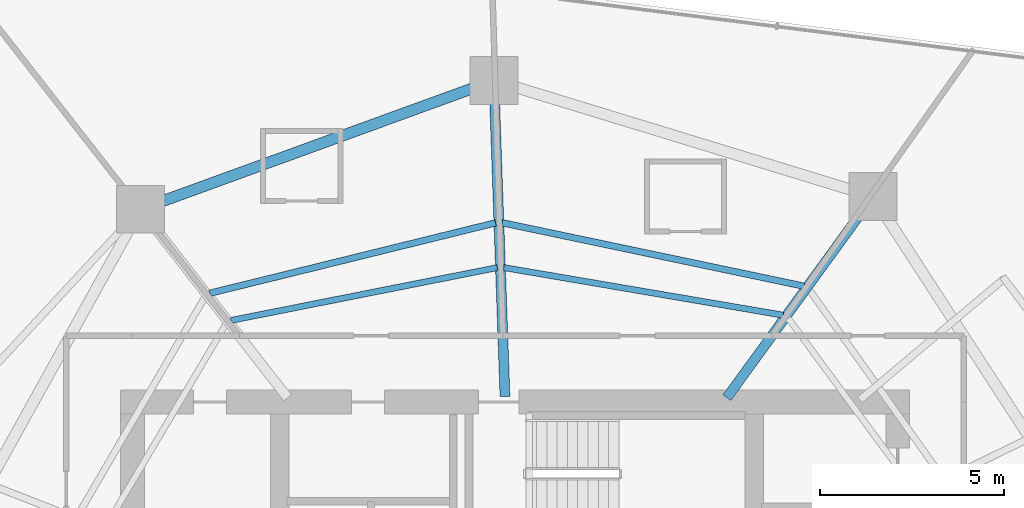
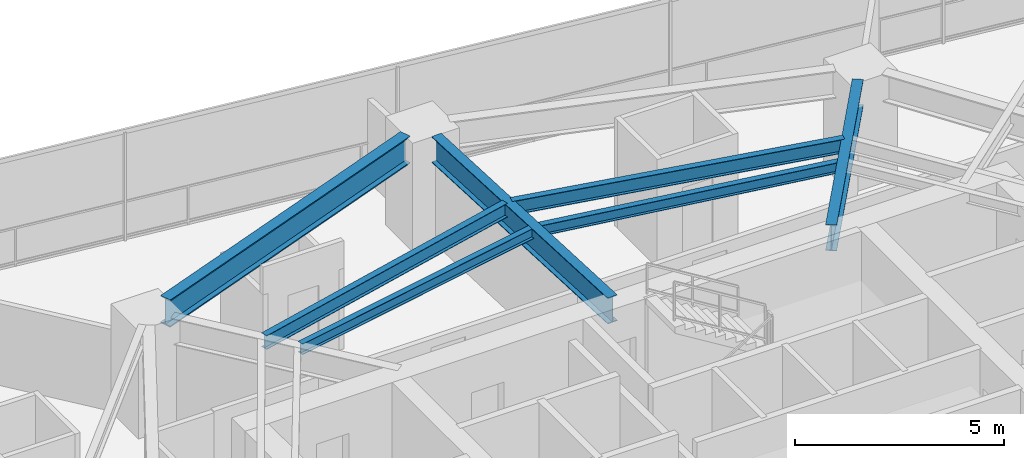
# One storey, part 19 of 30: 7 beams.
"""IFC4 building model written with IfcOpenShell, lengths in metres."""

from ifc_helpers import new_model, si_unit, direction, frame, origin, origin_2d, place, context, subcontext, project, spatial, i_section, extrude, material, material_profile, profile_set, type_object, element, save


model = new_model("IFC4")

# Units and contexts
model_context = context("Model", 3, precision=1e-05, world=origin(), true_north=direction((0.0, 1.0)))
body_context = subcontext(model_context, "Body", "Model", "MODEL_VIEW")
ifc_project = project(units=[si_unit("LENGTHUNIT", "METRE"), si_unit("AREAUNIT", "SQUARE_METRE"), si_unit("VOLUMEUNIT", "CUBIC_METRE"), si_unit("PLANEANGLEUNIT", "RADIAN"), si_unit("MASSUNIT", "GRAM", prefix="KILO")], contexts=[model_context])

# Site, building, storey
site_placement = place(None, origin())
site = spatial("IfcSite", under=ifc_project, at=site_placement, CompositionType="ELEMENT")
building_placement = place(site_placement, origin())
building = spatial("IfcBuilding", under=site, at=building_placement, Name="Qarnah Convention Tower", CompositionType="ELEMENT")
storey_placement = place(building_placement, frame((0.0, 0.0, 40.800048828125)))
storey = spatial("IfcBuildingStorey", under=building, at=storey_placement, Name="L09", CompositionType="ELEMENT", Elevation=40.800048828125)

# Beams
ifc_material = material(Name="Structural steel S355JR", Category="steel")
ifc_material_profile_1 = material_profile(ifc_material, i_section(OverallWidth=0.166015625, OverallDepth=0.31201171875, WebThickness=0.007080078125, FlangeThickness=0.010986328125, at=origin_2d()), Name="W310X45")
ifc_profile_set_1 = profile_set([ifc_material_profile_1], Name="Structural steel S355JR")
beam_type_1 = type_object("IfcBeamType", Name="BM-JST-W310", PredefinedType="JOIST", material=ifc_profile_set_1)
beam_1_placement = place(storey_placement, frame((44.48388671875, 36.56201171875, 3.013916015625), z_axis=(-0.985799304286, 0.167927757295, 0.0), x_axis=(-0.167927757295, -0.985799304286, 0.0)))
element("IfcBeam", 1, at=beam_1_placement, inside=storey, type_object=beam_type_1, Name="L09 joist BM-L09-IJST-02", PredefinedType="JOIST", context=body_context, shape_type="SweptSolid", body=[
    extrude(i_section(OverallWidth=0.166015625, OverallDepth=0.31201171875, WebThickness=0.007080078125, FlangeThickness=0.010986328125, at=origin_2d()), origin(), (0.0, 0.0, 1.0), 7.705322265625),
])
beam_2_placement = place(storey_placement, frame((36.7109375, 37.85400390625, 3.013916015625), z_axis=(-0.980900097956, -0.194512204837, 0.0), x_axis=(0.194512204837, -0.980900097956, 0.0)))
element("IfcBeam", 2, at=beam_2_placement, inside=storey, type_object=beam_type_1, Name="L09 joist BM-L09-IJST-03", PredefinedType="JOIST", context=body_context, shape_type="SweptSolid", body=[
    extrude(i_section(OverallWidth=0.166015625, OverallDepth=0.31201171875, WebThickness=0.007080078125, FlangeThickness=0.010986328125, at=origin_2d()), origin(), (0.0, 0.0, 1.0), 7.377685546875),
])
ifc_material_profile_2 = material_profile(ifc_material, i_section(OverallWidth=0.177978515625, OverallDepth=0.407958984375, WebThickness=0.008056640625, FlangeThickness=0.012939453125, at=origin_2d()), Name="W410X60")
ifc_profile_set_2 = profile_set([ifc_material_profile_2], Name="Structural steel S355JR")
beam_type_2 = type_object("IfcBeamType", Name="BM-JST-W410", PredefinedType="JOIST", material=ifc_profile_set_2)
beam_3_placement = place(storey_placement, frame((45.052978515625, 37.34912109375, 2.966064453125), z_axis=(-0.978606875393, 0.205739114982, 0.0), x_axis=(-0.205739114982, -0.978606875393, 0.0)))
element("IfcBeam", 3, at=beam_3_placement, inside=storey, type_object=beam_type_2, Name="L09 joist BM-L09-SJST-02", PredefinedType="JOIST", context=body_context, shape_type="SweptSolid", body=[
    extrude(i_section(OverallWidth=0.177978515625, OverallDepth=0.407958984375, WebThickness=0.008056640625, FlangeThickness=0.012939453125, at=origin_2d()), origin(), (0.0, 0.0, 1.0), 8.388427734375),
])
beam_4_placement = place(storey_placement, frame((36.6689453125, 39.072021484375, 2.966064453125), z_axis=(-0.970966049721, -0.239217328572, 0.0), x_axis=(0.239217328572, -0.970966049721, 0.0)))
element("IfcBeam", 4, at=beam_4_placement, inside=storey, type_object=beam_type_2, Name="L09 joist BM-L09-SJST-03", PredefinedType="JOIST", context=body_context, shape_type="SweptSolid", body=[
    extrude(i_section(OverallWidth=0.177978515625, OverallDepth=0.407958984375, WebThickness=0.008056640625, FlangeThickness=0.012939453125, at=origin_2d()), origin(), (0.0, 0.0, 1.0), 8.00146484375),
])
ifc_material_profile_3 = material_profile(ifc_material, i_section(OverallWidth=0.26806640625, OverallDepth=0.760009765625, WebThickness=0.014892578125, FlangeThickness=0.02197265625, at=origin_2d()), Name="W760X185")
ifc_profile_set_3 = profile_set([ifc_material_profile_3], Name="Structural steel S355JR")
beam_type_3 = type_object("IfcBeamType", Name="BM-RAD-W760", PredefinedType="BEAM", material=ifc_profile_set_3)
beam_5_placement = place(storey_placement, frame((42.955078125, 34.321044921875, 2.7900390625), z_axis=(0.587873224058, 0.808953071837, 0.0), x_axis=(-0.808953071837, 0.587873224058, 0.0)))
element("IfcBeam", 5, at=beam_5_placement, inside=storey, type_object=beam_type_3, Name="L09 beam BM-L09-RAD-02", PredefinedType="BEAM", context=body_context, shape_type="SweptSolid", body=[
    extrude(i_section(OverallWidth=0.26806640625, OverallDepth=0.760009765625, WebThickness=0.014892578125, FlangeThickness=0.02197265625, at=origin_2d()), origin(), (0.0, 0.0, 1.0), 6.12890625),
])
beam_6_placement = place(storey_placement, frame((36.922119140625, 34.35009765625, 2.7900390625), z_axis=(-0.034913066254, 0.999390353068, 0.0), x_axis=(-0.999390353068, -0.034913066254, 0.0)))
element("IfcBeam", 6, at=beam_6_placement, inside=storey, type_object=beam_type_3, Name="L09 beam BM-L09-RAD-03", PredefinedType="BEAM", context=body_context, shape_type="SweptSolid", body=[
    extrude(i_section(OverallWidth=0.26806640625, OverallDepth=0.760009765625, WebThickness=0.014892578125, FlangeThickness=0.02197265625, at=origin_2d()), origin(), (0.0, 0.0, 1.0), 7.96484375),
])
ifc_material_profile_4 = material_profile(ifc_material, i_section(OverallWidth=0.300048828125, OverallDepth=0.800048828125, WebThickness=0.01806640625, FlangeThickness=0.032958984375, at=origin_2d()), Name="HEB800")
ifc_profile_set_4 = profile_set([ifc_material_profile_4], Name="Structural steel S355JR")
beam_type_4 = type_object("IfcBeamType", Name="BM-RING-HEB800", PredefinedType="BEAM", material=ifc_profile_set_4)
beam_7_placement = place(storey_placement, frame((36.02099609375, 42.720947265625, 2.77001953125), z_axis=(-0.939712145037, -0.341966496121, 0.0), x_axis=(0.341966496121, -0.939712145037, 0.0)))
element("IfcBeam", 7, at=beam_7_placement, inside=storey, type_object=beam_type_4, Name="L09 beam BM-L09-SPN-03", PredefinedType="BEAM", context=body_context, shape_type="SweptSolid", body=[
    extrude(i_section(OverallWidth=0.300048828125, OverallDepth=0.800048828125, WebThickness=0.01806640625, FlangeThickness=0.032958984375, at=origin_2d()), origin(), (0.0, 0.0, 1.0), 8.948486328125),
])

save(model, "model.ifc")
